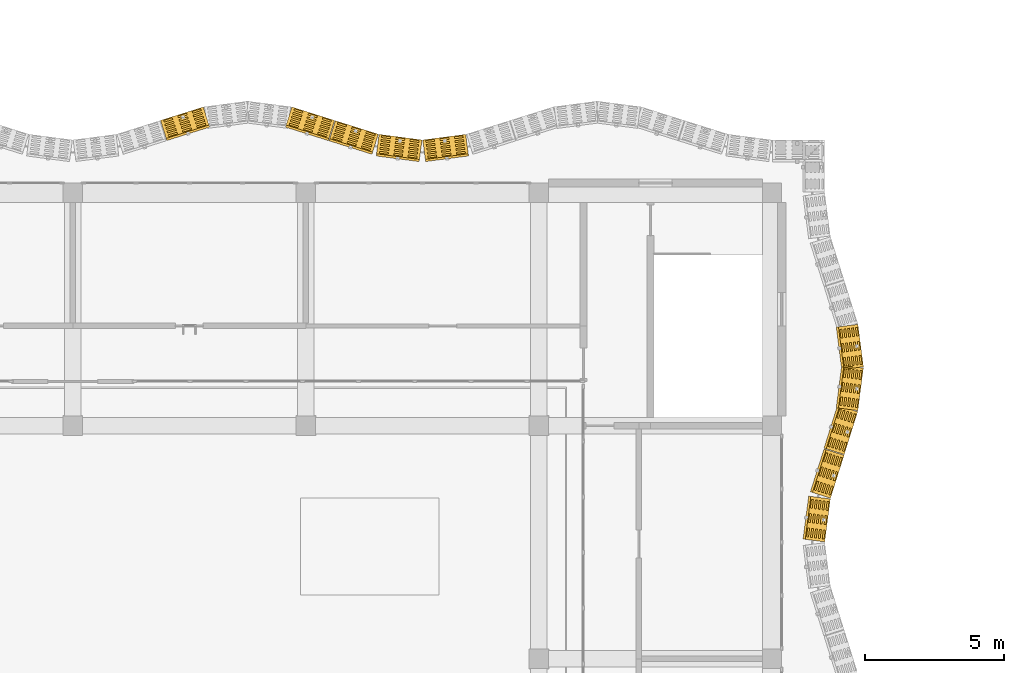
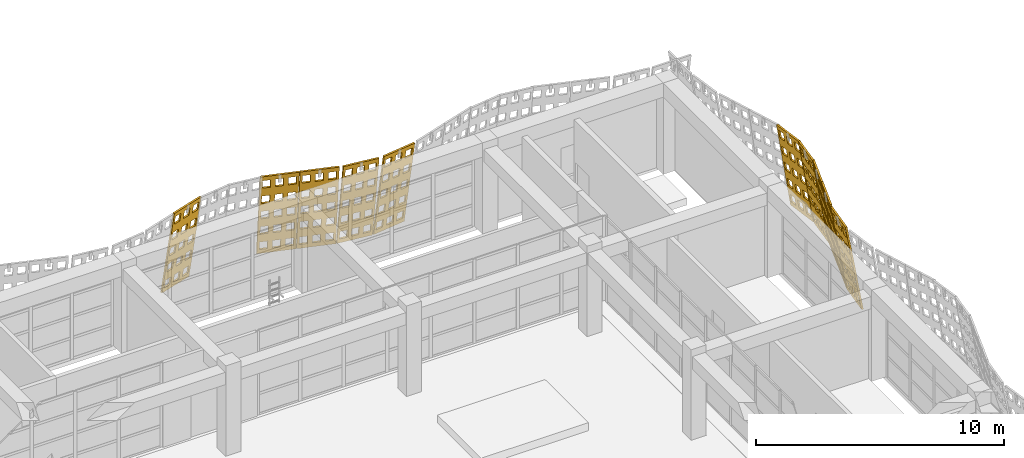
# One storey, part 83 of 85: 10 coverings.
"""IFC4 building model written with IfcOpenShell, lengths in metres."""

from ifc_helpers import new_model, si_unit, direction, frame, origin, place, context, subcontext, project, spatial, polyline, outline, extrude, material, layer, layer_set, type_object, element, save


model = new_model("IFC4")

# Units and contexts
model_context = context("Model", 3, precision=1e-05, world=origin(), true_north=direction((0.0, 1.0)))
body_context = subcontext(model_context, "Body", "Model", "MODEL_VIEW")
ifc_project = project(units=[si_unit("LENGTHUNIT", "METRE"), si_unit("AREAUNIT", "SQUARE_METRE"), si_unit("VOLUMEUNIT", "CUBIC_METRE"), si_unit("PLANEANGLEUNIT", "RADIAN"), si_unit("MASSUNIT", "GRAM", prefix="KILO")], contexts=[model_context])

# Site, building, storey
site_placement = place(None, origin())
site = spatial("IfcSite", under=ifc_project, at=site_placement, CompositionType="ELEMENT")
building_placement = place(site_placement, origin())
building = spatial("IfcBuilding", under=site, at=building_placement, Name="Rain Tree Exposition and Congress Centre", CompositionType="ELEMENT")
storey_placement = place(building_placement, frame((0.0, 0.0, 15.0)))
storey = spatial("IfcBuildingStorey", under=building, at=storey_placement, Name="L03", CompositionType="ELEMENT", Elevation=15.0)

# Coverings
ifc_material = material(Name="Perforated terracotta", Category="masonry")
ifc_layer = layer(ifc_material, 0.080078125)
ifc_layer_set = layer_set([ifc_layer], Name="Perforated terracotta")
covering_type = type_object("IfcCoveringType", Name="Terracotta screen 80", PredefinedType="CLADDING", material=ifc_layer_set)
covering_1_placement = place(storey_placement, frame((52.298095703125, 37.80029296875, 0.01318359375), z_axis=(-0.9779030419, 0.128349774249, -0.165021138321), x_axis=(-0.130133906157, -0.991496427865, 0.0)))
element("IfcCovering", 1, at=covering_1_placement, inside=storey, type_object=covering_type, Name="wing/screen/L03/059", PredefinedType="CLADDING", context=body_context, shape_type="SweptSolid", body=[
    extrude(outline(polyline([(-1.5732421875, 0.0), (-1.5732421875, 4.295166015625), (-0.014892578125, 4.295166015625), (-0.014892578125, 0.0), (-1.5732421875, 0.0)]), holes=[polyline([(-0.11376953125, 0.2216796875), (-0.11376953125, 0.63720703125), (-0.435791015625, 0.63720703125), (-0.435791015625, 0.2216796875), (-0.11376953125, 0.2216796875)]), polyline([(-0.11376953125, 1.080810546875), (-0.11376953125, 1.496337890625), (-0.435791015625, 1.496337890625), (-0.435791015625, 1.080810546875), (-0.11376953125, 1.080810546875)]), polyline([(-0.11376953125, 1.939697265625), (-0.11376953125, 2.35546875), (-0.435791015625, 2.35546875), (-0.435791015625, 1.939697265625), (-0.11376953125, 1.939697265625)]), polyline([(-0.11376953125, 2.798583984375), (-0.11376953125, 3.21435546875), (-0.435791015625, 3.21435546875), (-0.435791015625, 2.798583984375), (-0.11376953125, 2.798583984375)]), polyline([(-0.11376953125, 3.65771484375), (-0.11376953125, 4.073486328125), (-0.435791015625, 4.073486328125), (-0.435791015625, 3.65771484375), (-0.11376953125, 3.65771484375)]), polyline([(-0.633056640625, 0.2216796875), (-0.633056640625, 0.63720703125), (-0.955078125, 0.63720703125), (-0.955078125, 0.2216796875), (-0.633056640625, 0.2216796875)]), polyline([(-0.633056640625, 1.080810546875), (-0.633056640625, 1.496337890625), (-0.955078125, 1.496337890625), (-0.955078125, 1.080810546875), (-0.633056640625, 1.080810546875)]), polyline([(-0.633056640625, 1.939697265625), (-0.633056640625, 2.35546875), (-0.955078125, 2.35546875), (-0.955078125, 1.939697265625), (-0.633056640625, 1.939697265625)]), polyline([(-0.633056640625, 2.798583984375), (-0.633056640625, 3.21435546875), (-0.955078125, 3.21435546875), (-0.955078125, 2.798583984375), (-0.633056640625, 2.798583984375)]), polyline([(-0.633056640625, 3.65771484375), (-0.633056640625, 4.073486328125), (-0.955078125, 4.073486328125), (-0.955078125, 3.65771484375), (-0.633056640625, 3.65771484375)]), polyline([(-1.152587890625, 0.2216796875), (-1.152587890625, 0.63720703125), (-1.474609375, 0.63720703125), (-1.474609375, 0.2216796875), (-1.152587890625, 0.2216796875)]), polyline([(-1.152587890625, 1.080810546875), (-1.152587890625, 1.496337890625), (-1.474609375, 1.496337890625), (-1.474609375, 1.080810546875), (-1.152587890625, 1.080810546875)]), polyline([(-1.152587890625, 1.939697265625), (-1.152587890625, 2.35546875), (-1.474609375, 2.35546875), (-1.474609375, 1.939697265625), (-1.152587890625, 1.939697265625)]), polyline([(-1.152587890625, 2.798583984375), (-1.152587890625, 3.21435546875), (-1.474609375, 3.21435546875), (-1.474609375, 2.798583984375), (-1.152587890625, 2.798583984375)]), polyline([(-1.152587890625, 3.65771484375), (-1.152587890625, 4.073486328125), (-1.474609375, 4.073486328125), (-1.474609375, 3.65771484375), (-1.152587890625, 3.65771484375)])]), origin(), (0.0, 0.0, 1.0), 0.079833984375),
])
covering_2_placement = place(storey_placement, frame((52.50341796875, 39.37548828125, 0.0126953125), z_axis=(-0.941176896939, 0.298496232686, -0.158385756119), x_axis=(-0.302312226207, -0.953208958144, 0.0)))
element("IfcCovering", 2, at=covering_2_placement, inside=storey, type_object=covering_type, Name="wing/screen/L03/060", PredefinedType="CLADDING", context=body_context, shape_type="SweptSolid", body=[
    extrude(outline(polyline([(-1.635986328125, 0.0), (-1.635986328125, 4.291259765625), (-0.014892578125, 4.291259765625), (-0.014892578125, 0.0), (-1.635986328125, 0.0)]), holes=[polyline([(-0.11767578125, 0.221435546875), (-0.11767578125, 0.63671875), (-0.45263671875, 0.63671875), (-0.45263671875, 0.221435546875), (-0.11767578125, 0.221435546875)]), polyline([(-0.11767578125, 1.07958984375), (-0.11767578125, 1.4951171875), (-0.45263671875, 1.4951171875), (-0.45263671875, 1.07958984375), (-0.11767578125, 1.07958984375)]), polyline([(-0.11767578125, 1.93798828125), (-0.11767578125, 2.353271484375), (-0.45263671875, 2.353271484375), (-0.45263671875, 1.93798828125), (-0.11767578125, 1.93798828125)]), polyline([(-0.11767578125, 2.796142578125), (-0.11767578125, 3.21142578125), (-0.45263671875, 3.21142578125), (-0.45263671875, 2.796142578125), (-0.11767578125, 2.796142578125)]), polyline([(-0.11767578125, 3.654541015625), (-0.11767578125, 4.06982421875), (-0.45263671875, 4.06982421875), (-0.45263671875, 3.654541015625), (-0.11767578125, 3.654541015625)]), polyline([(-0.657958984375, 0.221435546875), (-0.657958984375, 0.63671875), (-0.992919921875, 0.63671875), (-0.992919921875, 0.221435546875), (-0.657958984375, 0.221435546875)]), polyline([(-0.657958984375, 1.07958984375), (-0.657958984375, 1.4951171875), (-0.992919921875, 1.4951171875), (-0.992919921875, 1.07958984375), (-0.657958984375, 1.07958984375)]), polyline([(-0.657958984375, 1.93798828125), (-0.657958984375, 2.353271484375), (-0.992919921875, 2.353271484375), (-0.992919921875, 1.93798828125), (-0.657958984375, 1.93798828125)]), polyline([(-0.657958984375, 2.796142578125), (-0.657958984375, 3.21142578125), (-0.992919921875, 3.21142578125), (-0.992919921875, 2.796142578125), (-0.657958984375, 2.796142578125)]), polyline([(-0.657958984375, 3.654541015625), (-0.657958984375, 4.06982421875), (-0.992919921875, 4.06982421875), (-0.992919921875, 3.654541015625), (-0.657958984375, 3.654541015625)]), polyline([(-1.1982421875, 0.221435546875), (-1.1982421875, 0.63671875), (-1.533203125, 0.63671875), (-1.533203125, 0.221435546875), (-1.1982421875, 0.221435546875)]), polyline([(-1.1982421875, 1.07958984375), (-1.1982421875, 1.4951171875), (-1.533203125, 1.4951171875), (-1.533203125, 1.07958984375), (-1.1982421875, 1.07958984375)]), polyline([(-1.1982421875, 1.93798828125), (-1.1982421875, 2.353271484375), (-1.533203125, 2.353271484375), (-1.533203125, 1.93798828125), (-1.1982421875, 1.93798828125)]), polyline([(-1.1982421875, 2.796142578125), (-1.1982421875, 3.21142578125), (-1.533203125, 3.21142578125), (-1.533203125, 2.796142578125), (-1.1982421875, 2.796142578125)]), polyline([(-1.1982421875, 3.654541015625), (-1.1982421875, 4.06982421875), (-1.533203125, 4.06982421875), (-1.533203125, 3.654541015625), (-1.1982421875, 3.654541015625)])]), origin(), (0.0, 0.0, 1.0), 0.080078125),
])
covering_3_placement = place(storey_placement, frame((52.998291015625, 40.95068359375, 0.0126953125), z_axis=(-0.941684688936, 0.296569528658, -0.158985726703), x_axis=(-0.300390227601, -0.953816392794, 0.0)))
element("IfcCovering", 3, at=covering_3_placement, inside=storey, type_object=covering_type, Name="wing/screen/L03/061", PredefinedType="CLADDING", context=body_context, shape_type="SweptSolid", body=[
    extrude(outline(polyline([(-1.62890625, 0.0), (-1.62890625, 4.291259765625), (-0.014892578125, 4.291259765625), (-0.014892578125, 0.0), (-1.62890625, 0.0)]), holes=[polyline([(-0.1171875, 0.221435546875), (-0.1171875, 0.63671875), (-0.45068359375, 0.63671875), (-0.45068359375, 0.221435546875), (-0.1171875, 0.221435546875)]), polyline([(-0.1171875, 1.07958984375), (-0.1171875, 1.4951171875), (-0.45068359375, 1.4951171875), (-0.45068359375, 1.07958984375), (-0.1171875, 1.07958984375)]), polyline([(-0.1171875, 1.93798828125), (-0.1171875, 2.353271484375), (-0.45068359375, 2.353271484375), (-0.45068359375, 1.93798828125), (-0.1171875, 1.93798828125)]), polyline([(-0.1171875, 2.796142578125), (-0.1171875, 3.21142578125), (-0.45068359375, 3.21142578125), (-0.45068359375, 2.796142578125), (-0.1171875, 2.796142578125)]), polyline([(-0.1171875, 3.654541015625), (-0.1171875, 4.06982421875), (-0.45068359375, 4.06982421875), (-0.45068359375, 3.654541015625), (-0.1171875, 3.654541015625)]), polyline([(-0.6552734375, 0.221435546875), (-0.6552734375, 0.63671875), (-0.98876953125, 0.63671875), (-0.98876953125, 0.221435546875), (-0.6552734375, 0.221435546875)]), polyline([(-0.6552734375, 1.07958984375), (-0.6552734375, 1.4951171875), (-0.98876953125, 1.4951171875), (-0.98876953125, 1.07958984375), (-0.6552734375, 1.07958984375)]), polyline([(-0.6552734375, 1.93798828125), (-0.6552734375, 2.353271484375), (-0.98876953125, 2.353271484375), (-0.98876953125, 1.93798828125), (-0.6552734375, 1.93798828125)]), polyline([(-0.6552734375, 2.796142578125), (-0.6552734375, 3.21142578125), (-0.98876953125, 3.21142578125), (-0.98876953125, 2.796142578125), (-0.6552734375, 2.796142578125)]), polyline([(-0.6552734375, 3.654541015625), (-0.6552734375, 4.06982421875), (-0.98876953125, 4.06982421875), (-0.98876953125, 3.654541015625), (-0.6552734375, 3.654541015625)]), polyline([(-1.193115234375, 0.221435546875), (-1.193115234375, 0.63671875), (-1.526611328125, 0.63671875), (-1.526611328125, 0.221435546875), (-1.193115234375, 0.221435546875)]), polyline([(-1.193115234375, 1.07958984375), (-1.193115234375, 1.4951171875), (-1.526611328125, 1.4951171875), (-1.526611328125, 1.07958984375), (-1.193115234375, 1.07958984375)]), polyline([(-1.193115234375, 1.93798828125), (-1.193115234375, 2.353271484375), (-1.526611328125, 2.353271484375), (-1.526611328125, 1.93798828125), (-1.193115234375, 1.93798828125)]), polyline([(-1.193115234375, 2.796142578125), (-1.193115234375, 3.21142578125), (-1.526611328125, 3.21142578125), (-1.526611328125, 2.796142578125), (-1.193115234375, 2.796142578125)]), polyline([(-1.193115234375, 3.654541015625), (-1.193115234375, 4.06982421875), (-1.526611328125, 4.06982421875), (-1.526611328125, 3.654541015625), (-1.193115234375, 3.654541015625)])]), origin(), (0.0, 0.0, 1.0), 0.079833984375),
])
covering_4_placement = place(storey_placement, frame((53.4931640625, 42.525390625, 0.01318359375), z_axis=(-0.978413018317, 0.124968640969, -0.164592844203), x_axis=(-0.126696580272, -0.991941518713, 0.0)))
element("IfcCovering", 4, at=covering_4_placement, inside=storey, type_object=covering_type, Name="wing/screen/L03/062", PredefinedType="CLADDING", context=body_context, shape_type="SweptSolid", body=[
    extrude(outline(polyline([(-1.56298828125, 0.0), (-1.56298828125, 4.295166015625), (-0.02197265625, 4.295166015625), (-0.02197265625, 0.0), (-1.56298828125, 0.0)]), holes=[polyline([(-0.11962890625, 0.2216796875), (-0.11962890625, 0.63720703125), (-0.43798828125, 0.63720703125), (-0.43798828125, 0.2216796875), (-0.11962890625, 0.2216796875)]), polyline([(-0.11962890625, 1.080810546875), (-0.11962890625, 1.496337890625), (-0.43798828125, 1.496337890625), (-0.43798828125, 1.080810546875), (-0.11962890625, 1.080810546875)]), polyline([(-0.11962890625, 1.939697265625), (-0.11962890625, 2.35546875), (-0.43798828125, 2.35546875), (-0.43798828125, 1.939697265625), (-0.11962890625, 1.939697265625)]), polyline([(-0.11962890625, 2.798583984375), (-0.11962890625, 3.21435546875), (-0.43798828125, 3.21435546875), (-0.43798828125, 2.798583984375), (-0.11962890625, 2.798583984375)]), polyline([(-0.11962890625, 3.65771484375), (-0.11962890625, 4.073486328125), (-0.43798828125, 4.073486328125), (-0.43798828125, 3.65771484375), (-0.11962890625, 3.65771484375)]), polyline([(-0.63330078125, 0.2216796875), (-0.63330078125, 0.63720703125), (-0.95166015625, 0.63720703125), (-0.95166015625, 0.2216796875), (-0.63330078125, 0.2216796875)]), polyline([(-0.63330078125, 1.080810546875), (-0.63330078125, 1.496337890625), (-0.95166015625, 1.496337890625), (-0.95166015625, 1.080810546875), (-0.63330078125, 1.080810546875)]), polyline([(-0.63330078125, 1.939697265625), (-0.63330078125, 2.35546875), (-0.95166015625, 2.35546875), (-0.95166015625, 1.939697265625), (-0.63330078125, 1.939697265625)]), polyline([(-0.63330078125, 2.798583984375), (-0.63330078125, 3.21435546875), (-0.95166015625, 3.21435546875), (-0.95166015625, 2.798583984375), (-0.63330078125, 2.798583984375)]), polyline([(-0.63330078125, 3.65771484375), (-0.63330078125, 4.073486328125), (-0.95166015625, 4.073486328125), (-0.95166015625, 3.65771484375), (-0.63330078125, 3.65771484375)]), polyline([(-1.146728515625, 0.2216796875), (-1.146728515625, 0.63720703125), (-1.46533203125, 0.63720703125), (-1.46533203125, 0.2216796875), (-1.146728515625, 0.2216796875)]), polyline([(-1.146728515625, 1.080810546875), (-1.146728515625, 1.496337890625), (-1.46533203125, 1.496337890625), (-1.46533203125, 1.080810546875), (-1.146728515625, 1.080810546875)]), polyline([(-1.146728515625, 1.939697265625), (-1.146728515625, 2.35546875), (-1.46533203125, 2.35546875), (-1.46533203125, 1.939697265625), (-1.146728515625, 1.939697265625)]), polyline([(-1.146728515625, 2.798583984375), (-1.146728515625, 3.21435546875), (-1.46533203125, 3.21435546875), (-1.46533203125, 2.798583984375), (-1.146728515625, 2.798583984375)]), polyline([(-1.146728515625, 3.65771484375), (-1.146728515625, 4.073486328125), (-1.46533203125, 4.073486328125), (-1.46533203125, 3.65771484375), (-1.146728515625, 3.65771484375)])]), origin(), (0.0, 0.0, 1.0), 0.080078125),
])
covering_5_placement = place(storey_placement, frame((53.697998046875, 44.099609375, 0.01318359375), z_axis=(-0.978282259159, -0.125342414455, -0.165085131233), x_axis=(0.127086122318, -0.991891686382, 0.0)))
element("IfcCovering", 5, at=covering_5_placement, inside=storey, type_object=covering_type, Name="wing/screen/L03/063", PredefinedType="CLADDING", context=body_context, shape_type="SweptSolid", body=[
    extrude(outline(polyline([(-1.56640625, 0.0), (-1.56640625, 4.295166015625), (-0.025390625, 4.295166015625), (-0.025390625, 0.0), (-1.56640625, 0.0)]), holes=[polyline([(-0.123046875, 0.2216796875), (-0.123046875, 0.63720703125), (-0.44140625, 0.63720703125), (-0.44140625, 0.2216796875), (-0.123046875, 0.2216796875)]), polyline([(-0.123046875, 1.080810546875), (-0.123046875, 1.496337890625), (-0.44140625, 1.496337890625), (-0.44140625, 1.080810546875), (-0.123046875, 1.080810546875)]), polyline([(-0.123046875, 1.939697265625), (-0.123046875, 2.35546875), (-0.44140625, 2.35546875), (-0.44140625, 1.939697265625), (-0.123046875, 1.939697265625)]), polyline([(-0.123046875, 2.798583984375), (-0.123046875, 3.21435546875), (-0.44140625, 3.21435546875), (-0.44140625, 2.798583984375), (-0.123046875, 2.798583984375)]), polyline([(-0.123046875, 3.65771484375), (-0.123046875, 4.073486328125), (-0.44140625, 4.073486328125), (-0.44140625, 3.65771484375), (-0.123046875, 3.65771484375)]), polyline([(-0.63671875, 0.2216796875), (-0.63671875, 0.63720703125), (-0.955078125, 0.63720703125), (-0.955078125, 0.2216796875), (-0.63671875, 0.2216796875)]), polyline([(-0.63671875, 1.080810546875), (-0.63671875, 1.496337890625), (-0.955078125, 1.496337890625), (-0.955078125, 1.080810546875), (-0.63671875, 1.080810546875)]), polyline([(-0.63671875, 1.939697265625), (-0.63671875, 2.35546875), (-0.955078125, 2.35546875), (-0.955078125, 1.939697265625), (-0.63671875, 1.939697265625)]), polyline([(-0.63671875, 2.798583984375), (-0.63671875, 3.21435546875), (-0.955078125, 3.21435546875), (-0.955078125, 2.798583984375), (-0.63671875, 2.798583984375)]), polyline([(-0.63671875, 3.65771484375), (-0.63671875, 4.073486328125), (-0.955078125, 4.073486328125), (-0.955078125, 3.65771484375), (-0.63671875, 3.65771484375)]), polyline([(-1.150146484375, 0.2216796875), (-1.150146484375, 0.63720703125), (-1.46875, 0.63720703125), (-1.46875, 0.2216796875), (-1.150146484375, 0.2216796875)]), polyline([(-1.150146484375, 1.080810546875), (-1.150146484375, 1.496337890625), (-1.46875, 1.496337890625), (-1.46875, 1.080810546875), (-1.150146484375, 1.080810546875)]), polyline([(-1.150146484375, 1.939697265625), (-1.150146484375, 2.35546875), (-1.46875, 2.35546875), (-1.46875, 1.939697265625), (-1.150146484375, 1.939697265625)]), polyline([(-1.150146484375, 2.798583984375), (-1.150146484375, 3.21435546875), (-1.46875, 3.21435546875), (-1.46875, 2.798583984375), (-1.150146484375, 2.798583984375)]), polyline([(-1.150146484375, 3.65771484375), (-1.150146484375, 4.073486328125), (-1.46875, 4.073486328125), (-1.46875, 3.65771484375), (-1.150146484375, 3.65771484375)])]), origin(), (0.0, 0.0, 1.0), 0.079833984375),
])
covering_6_placement = place(storey_placement, frame((39.375244140625, 52.503173828125, 0.01318359375), z_axis=(0.127967328105, -0.978036007662, -0.16452942185), x_axis=(0.991548658387, 0.129735338481, 0.0)))
element("IfcCovering", 6, at=covering_6_placement, inside=storey, type_object=covering_type, Name="wing/screen/L03/076", PredefinedType="CLADDING", context=body_context, shape_type="SweptSolid", body=[
    extrude(outline(polyline([(-1.5732421875, 0.0), (-1.5732421875, 4.295166015625), (-0.014892578125, 4.295166015625), (-0.014892578125, 0.0), (-1.5732421875, 0.0)]), holes=[polyline([(-0.11376953125, 0.2216796875), (-0.11376953125, 0.63720703125), (-0.435791015625, 0.63720703125), (-0.435791015625, 0.2216796875), (-0.11376953125, 0.2216796875)]), polyline([(-0.11376953125, 1.080810546875), (-0.11376953125, 1.496337890625), (-0.435791015625, 1.496337890625), (-0.435791015625, 1.080810546875), (-0.11376953125, 1.080810546875)]), polyline([(-0.11376953125, 1.939697265625), (-0.11376953125, 2.35546875), (-0.435791015625, 2.35546875), (-0.435791015625, 1.939697265625), (-0.11376953125, 1.939697265625)]), polyline([(-0.11376953125, 2.798583984375), (-0.11376953125, 3.21435546875), (-0.435791015625, 3.21435546875), (-0.435791015625, 2.798583984375), (-0.11376953125, 2.798583984375)]), polyline([(-0.11376953125, 3.65771484375), (-0.11376953125, 4.073486328125), (-0.435791015625, 4.073486328125), (-0.435791015625, 3.65771484375), (-0.11376953125, 3.65771484375)]), polyline([(-0.633056640625, 0.2216796875), (-0.633056640625, 0.63720703125), (-0.955078125, 0.63720703125), (-0.955078125, 0.2216796875), (-0.633056640625, 0.2216796875)]), polyline([(-0.633056640625, 1.080810546875), (-0.633056640625, 1.496337890625), (-0.955078125, 1.496337890625), (-0.955078125, 1.080810546875), (-0.633056640625, 1.080810546875)]), polyline([(-0.633056640625, 1.939697265625), (-0.633056640625, 2.35546875), (-0.955078125, 2.35546875), (-0.955078125, 1.939697265625), (-0.633056640625, 1.939697265625)]), polyline([(-0.633056640625, 2.798583984375), (-0.633056640625, 3.21435546875), (-0.955078125, 3.21435546875), (-0.955078125, 2.798583984375), (-0.633056640625, 2.798583984375)]), polyline([(-0.633056640625, 3.65771484375), (-0.633056640625, 4.073486328125), (-0.955078125, 4.073486328125), (-0.955078125, 3.65771484375), (-0.633056640625, 3.65771484375)]), polyline([(-1.152587890625, 0.2216796875), (-1.152587890625, 0.63720703125), (-1.474609375, 0.63720703125), (-1.474609375, 0.2216796875), (-1.152587890625, 0.2216796875)]), polyline([(-1.152587890625, 1.080810546875), (-1.152587890625, 1.496337890625), (-1.474609375, 1.496337890625), (-1.474609375, 1.080810546875), (-1.152587890625, 1.080810546875)]), polyline([(-1.152587890625, 1.939697265625), (-1.152587890625, 2.35546875), (-1.474609375, 2.35546875), (-1.474609375, 1.939697265625), (-1.152587890625, 1.939697265625)]), polyline([(-1.152587890625, 2.798583984375), (-1.152587890625, 3.21435546875), (-1.474609375, 3.21435546875), (-1.474609375, 2.798583984375), (-1.152587890625, 2.798583984375)]), polyline([(-1.152587890625, 3.65771484375), (-1.152587890625, 4.073486328125), (-1.474609375, 4.073486328125), (-1.474609375, 3.65771484375), (-1.152587890625, 3.65771484375)])]), origin(), (0.0, 0.0, 1.0), 0.080078125),
])
covering_7_placement = place(storey_placement, frame((37.7998046875, 52.298095703125, 0.01318359375), z_axis=(-0.128349774249, -0.9779030419, -0.165021138321), x_axis=(0.991496427865, -0.130133906157, 0.0)))
element("IfcCovering", 7, at=covering_7_placement, inside=storey, type_object=covering_type, Name="wing/screen/L03/077", PredefinedType="CLADDING", context=body_context, shape_type="SweptSolid", body=[
    extrude(outline(polyline([(-1.5732421875, 0.0), (-1.5732421875, 4.295166015625), (-0.014892578125, 4.295166015625), (-0.014892578125, 0.0), (-1.5732421875, 0.0)]), holes=[polyline([(-0.11376953125, 0.2216796875), (-0.11376953125, 0.63720703125), (-0.435791015625, 0.63720703125), (-0.435791015625, 0.2216796875), (-0.11376953125, 0.2216796875)]), polyline([(-0.11376953125, 1.080810546875), (-0.11376953125, 1.496337890625), (-0.435791015625, 1.496337890625), (-0.435791015625, 1.080810546875), (-0.11376953125, 1.080810546875)]), polyline([(-0.11376953125, 1.939697265625), (-0.11376953125, 2.35546875), (-0.435791015625, 2.35546875), (-0.435791015625, 1.939697265625), (-0.11376953125, 1.939697265625)]), polyline([(-0.11376953125, 2.798583984375), (-0.11376953125, 3.21435546875), (-0.435791015625, 3.21435546875), (-0.435791015625, 2.798583984375), (-0.11376953125, 2.798583984375)]), polyline([(-0.11376953125, 3.65771484375), (-0.11376953125, 4.073486328125), (-0.435791015625, 4.073486328125), (-0.435791015625, 3.65771484375), (-0.11376953125, 3.65771484375)]), polyline([(-0.633056640625, 0.2216796875), (-0.633056640625, 0.63720703125), (-0.955078125, 0.63720703125), (-0.955078125, 0.2216796875), (-0.633056640625, 0.2216796875)]), polyline([(-0.633056640625, 1.080810546875), (-0.633056640625, 1.496337890625), (-0.955078125, 1.496337890625), (-0.955078125, 1.080810546875), (-0.633056640625, 1.080810546875)]), polyline([(-0.633056640625, 1.939697265625), (-0.633056640625, 2.35546875), (-0.955078125, 2.35546875), (-0.955078125, 1.939697265625), (-0.633056640625, 1.939697265625)]), polyline([(-0.633056640625, 2.798583984375), (-0.633056640625, 3.21435546875), (-0.955078125, 3.21435546875), (-0.955078125, 2.798583984375), (-0.633056640625, 2.798583984375)]), polyline([(-0.633056640625, 3.65771484375), (-0.633056640625, 4.073486328125), (-0.955078125, 4.073486328125), (-0.955078125, 3.65771484375), (-0.633056640625, 3.65771484375)]), polyline([(-1.152587890625, 0.2216796875), (-1.152587890625, 0.63720703125), (-1.474609375, 0.63720703125), (-1.474609375, 0.2216796875), (-1.152587890625, 0.2216796875)]), polyline([(-1.152587890625, 1.080810546875), (-1.152587890625, 1.496337890625), (-1.474609375, 1.496337890625), (-1.474609375, 1.080810546875), (-1.152587890625, 1.080810546875)]), polyline([(-1.152587890625, 1.939697265625), (-1.152587890625, 2.35546875), (-1.474609375, 2.35546875), (-1.474609375, 1.939697265625), (-1.152587890625, 1.939697265625)]), polyline([(-1.152587890625, 2.798583984375), (-1.152587890625, 3.21435546875), (-1.474609375, 3.21435546875), (-1.474609375, 2.798583984375), (-1.152587890625, 2.798583984375)]), polyline([(-1.152587890625, 3.65771484375), (-1.152587890625, 4.073486328125), (-1.474609375, 4.073486328125), (-1.474609375, 3.65771484375), (-1.152587890625, 3.65771484375)])]), origin(), (0.0, 0.0, 1.0), 0.079833984375),
])
covering_8_placement = place(storey_placement, frame((36.224365234375, 52.50341796875, 0.0126953125), z_axis=(-0.295717964052, -0.942029390639, -0.158529217842), x_axis=(0.954094597562, -0.29950542383, 0.0)))
element("IfcCovering", 8, at=covering_8_placement, inside=storey, type_object=covering_type, Name="wing/screen/L03/078", PredefinedType="CLADDING", context=body_context, shape_type="SweptSolid", body=[
    extrude(outline(polyline([(-1.635986328125, 0.0), (-1.635986328125, 4.291259765625), (-0.014892578125, 4.291259765625), (-0.014892578125, 0.0), (-1.635986328125, 0.0)]), holes=[polyline([(-0.11767578125, 0.221435546875), (-0.11767578125, 0.63671875), (-0.45263671875, 0.63671875), (-0.45263671875, 0.221435546875), (-0.11767578125, 0.221435546875)]), polyline([(-0.11767578125, 1.07958984375), (-0.11767578125, 1.4951171875), (-0.45263671875, 1.4951171875), (-0.45263671875, 1.07958984375), (-0.11767578125, 1.07958984375)]), polyline([(-0.11767578125, 1.93798828125), (-0.11767578125, 2.353271484375), (-0.45263671875, 2.353271484375), (-0.45263671875, 1.93798828125), (-0.11767578125, 1.93798828125)]), polyline([(-0.11767578125, 2.796142578125), (-0.11767578125, 3.21142578125), (-0.45263671875, 3.21142578125), (-0.45263671875, 2.796142578125), (-0.11767578125, 2.796142578125)]), polyline([(-0.11767578125, 3.654541015625), (-0.11767578125, 4.06982421875), (-0.45263671875, 4.06982421875), (-0.45263671875, 3.654541015625), (-0.11767578125, 3.654541015625)]), polyline([(-0.657958984375, 0.221435546875), (-0.657958984375, 0.63671875), (-0.992919921875, 0.63671875), (-0.992919921875, 0.221435546875), (-0.657958984375, 0.221435546875)]), polyline([(-0.657958984375, 1.07958984375), (-0.657958984375, 1.4951171875), (-0.992919921875, 1.4951171875), (-0.992919921875, 1.07958984375), (-0.657958984375, 1.07958984375)]), polyline([(-0.657958984375, 1.93798828125), (-0.657958984375, 2.353271484375), (-0.992919921875, 2.353271484375), (-0.992919921875, 1.93798828125), (-0.657958984375, 1.93798828125)]), polyline([(-0.657958984375, 2.796142578125), (-0.657958984375, 3.21142578125), (-0.992919921875, 3.21142578125), (-0.992919921875, 2.796142578125), (-0.657958984375, 2.796142578125)]), polyline([(-0.657958984375, 3.654541015625), (-0.657958984375, 4.06982421875), (-0.992919921875, 4.06982421875), (-0.992919921875, 3.654541015625), (-0.657958984375, 3.654541015625)]), polyline([(-1.1982421875, 0.221435546875), (-1.1982421875, 0.63671875), (-1.533203125, 0.63671875), (-1.533203125, 0.221435546875), (-1.1982421875, 0.221435546875)]), polyline([(-1.1982421875, 1.07958984375), (-1.1982421875, 1.4951171875), (-1.533203125, 1.4951171875), (-1.533203125, 1.07958984375), (-1.1982421875, 1.07958984375)]), polyline([(-1.1982421875, 1.93798828125), (-1.1982421875, 2.353271484375), (-1.533203125, 2.353271484375), (-1.533203125, 1.93798828125), (-1.1982421875, 1.93798828125)]), polyline([(-1.1982421875, 2.796142578125), (-1.1982421875, 3.21142578125), (-1.533203125, 3.21142578125), (-1.533203125, 2.796142578125), (-1.1982421875, 2.796142578125)]), polyline([(-1.1982421875, 3.654541015625), (-1.1982421875, 4.06982421875), (-1.533203125, 4.06982421875), (-1.533203125, 3.654541015625), (-1.1982421875, 3.654541015625)])]), origin(), (0.0, 0.0, 1.0), 0.080078125),
])
covering_9_placement = place(storey_placement, frame((34.6494140625, 52.998291015625, 0.0126953125), z_axis=(-0.296569528658, -0.941684688936, -0.158985726703), x_axis=(0.953816392794, -0.300390227601, 0.0)))
element("IfcCovering", 9, at=covering_9_placement, inside=storey, type_object=covering_type, Name="wing/screen/L03/079", PredefinedType="CLADDING", context=body_context, shape_type="SweptSolid", body=[
    extrude(outline(polyline([(-1.62890625, 0.0), (-1.62890625, 4.291259765625), (-0.014892578125, 4.291259765625), (-0.014892578125, 0.0), (-1.62890625, 0.0)]), holes=[polyline([(-0.1171875, 0.221435546875), (-0.1171875, 0.63671875), (-0.45068359375, 0.63671875), (-0.45068359375, 0.221435546875), (-0.1171875, 0.221435546875)]), polyline([(-0.1171875, 1.07958984375), (-0.1171875, 1.4951171875), (-0.45068359375, 1.4951171875), (-0.45068359375, 1.07958984375), (-0.1171875, 1.07958984375)]), polyline([(-0.1171875, 1.93798828125), (-0.1171875, 2.353271484375), (-0.45068359375, 2.353271484375), (-0.45068359375, 1.93798828125), (-0.1171875, 1.93798828125)]), polyline([(-0.1171875, 2.796142578125), (-0.1171875, 3.21142578125), (-0.45068359375, 3.21142578125), (-0.45068359375, 2.796142578125), (-0.1171875, 2.796142578125)]), polyline([(-0.1171875, 3.654541015625), (-0.1171875, 4.06982421875), (-0.45068359375, 4.06982421875), (-0.45068359375, 3.654541015625), (-0.1171875, 3.654541015625)]), polyline([(-0.6552734375, 0.221435546875), (-0.6552734375, 0.63671875), (-0.98876953125, 0.63671875), (-0.98876953125, 0.221435546875), (-0.6552734375, 0.221435546875)]), polyline([(-0.6552734375, 1.07958984375), (-0.6552734375, 1.4951171875), (-0.98876953125, 1.4951171875), (-0.98876953125, 1.07958984375), (-0.6552734375, 1.07958984375)]), polyline([(-0.6552734375, 1.93798828125), (-0.6552734375, 2.353271484375), (-0.98876953125, 2.353271484375), (-0.98876953125, 1.93798828125), (-0.6552734375, 1.93798828125)]), polyline([(-0.6552734375, 2.796142578125), (-0.6552734375, 3.21142578125), (-0.98876953125, 3.21142578125), (-0.98876953125, 2.796142578125), (-0.6552734375, 2.796142578125)]), polyline([(-0.6552734375, 3.654541015625), (-0.6552734375, 4.06982421875), (-0.98876953125, 4.06982421875), (-0.98876953125, 3.654541015625), (-0.6552734375, 3.654541015625)]), polyline([(-1.193115234375, 0.221435546875), (-1.193115234375, 0.63671875), (-1.526611328125, 0.63671875), (-1.526611328125, 0.221435546875), (-1.193115234375, 0.221435546875)]), polyline([(-1.193115234375, 1.07958984375), (-1.193115234375, 1.4951171875), (-1.526611328125, 1.4951171875), (-1.526611328125, 1.07958984375), (-1.193115234375, 1.07958984375)]), polyline([(-1.193115234375, 1.93798828125), (-1.193115234375, 2.353271484375), (-1.526611328125, 2.353271484375), (-1.526611328125, 1.93798828125), (-1.193115234375, 1.93798828125)]), polyline([(-1.193115234375, 2.796142578125), (-1.193115234375, 3.21142578125), (-1.526611328125, 3.21142578125), (-1.526611328125, 2.796142578125), (-1.193115234375, 2.796142578125)]), polyline([(-1.193115234375, 3.654541015625), (-1.193115234375, 4.06982421875), (-1.526611328125, 4.06982421875), (-1.526611328125, 3.654541015625), (-1.193115234375, 3.654541015625)])]), origin(), (0.0, 0.0, 1.0), 0.079833984375),
])
covering_10_placement = place(storey_placement, frame((29.925537109375, 53.493408203125, 0.0126953125), z_axis=(0.295717964052, -0.942029390639, -0.158529217842), x_axis=(0.954094597562, 0.29950542383, 0.0)))
element("IfcCovering", 10, at=covering_10_placement, inside=storey, type_object=covering_type, Name="wing/screen/L03/082", PredefinedType="CLADDING", context=body_context, shape_type="SweptSolid", body=[
    extrude(outline(polyline([(-1.635986328125, 0.0), (-1.635986328125, 4.291259765625), (-0.02197265625, 4.291259765625), (-0.02197265625, 0.0), (-1.635986328125, 0.0)]), holes=[polyline([(-0.124267578125, 0.221435546875), (-0.124267578125, 0.63671875), (-0.457763671875, 0.63671875), (-0.457763671875, 0.221435546875), (-0.124267578125, 0.221435546875)]), polyline([(-0.124267578125, 1.07958984375), (-0.124267578125, 1.4951171875), (-0.457763671875, 1.4951171875), (-0.457763671875, 1.07958984375), (-0.124267578125, 1.07958984375)]), polyline([(-0.124267578125, 1.93798828125), (-0.124267578125, 2.353271484375), (-0.457763671875, 2.353271484375), (-0.457763671875, 1.93798828125), (-0.124267578125, 1.93798828125)]), polyline([(-0.124267578125, 2.796142578125), (-0.124267578125, 3.21142578125), (-0.457763671875, 3.21142578125), (-0.457763671875, 2.796142578125), (-0.124267578125, 2.796142578125)]), polyline([(-0.124267578125, 3.654541015625), (-0.124267578125, 4.06982421875), (-0.457763671875, 4.06982421875), (-0.457763671875, 3.654541015625), (-0.124267578125, 3.654541015625)]), polyline([(-0.662109375, 0.221435546875), (-0.662109375, 0.63671875), (-0.995849609375, 0.63671875), (-0.995849609375, 0.221435546875), (-0.662109375, 0.221435546875)]), polyline([(-0.662109375, 1.07958984375), (-0.662109375, 1.4951171875), (-0.995849609375, 1.4951171875), (-0.995849609375, 1.07958984375), (-0.662109375, 1.07958984375)]), polyline([(-0.662109375, 1.93798828125), (-0.662109375, 2.353271484375), (-0.995849609375, 2.353271484375), (-0.995849609375, 1.93798828125), (-0.662109375, 1.93798828125)]), polyline([(-0.662109375, 2.796142578125), (-0.662109375, 3.21142578125), (-0.995849609375, 3.21142578125), (-0.995849609375, 2.796142578125), (-0.662109375, 2.796142578125)]), polyline([(-0.662109375, 3.654541015625), (-0.662109375, 4.06982421875), (-0.995849609375, 4.06982421875), (-0.995849609375, 3.654541015625), (-0.662109375, 3.654541015625)]), polyline([(-1.2001953125, 0.221435546875), (-1.2001953125, 0.63671875), (-1.53369140625, 0.63671875), (-1.53369140625, 0.221435546875), (-1.2001953125, 0.221435546875)]), polyline([(-1.2001953125, 1.07958984375), (-1.2001953125, 1.4951171875), (-1.53369140625, 1.4951171875), (-1.53369140625, 1.07958984375), (-1.2001953125, 1.07958984375)]), polyline([(-1.2001953125, 1.93798828125), (-1.2001953125, 2.353271484375), (-1.53369140625, 2.353271484375), (-1.53369140625, 1.93798828125), (-1.2001953125, 1.93798828125)]), polyline([(-1.2001953125, 2.796142578125), (-1.2001953125, 3.21142578125), (-1.53369140625, 3.21142578125), (-1.53369140625, 2.796142578125), (-1.2001953125, 2.796142578125)]), polyline([(-1.2001953125, 3.654541015625), (-1.2001953125, 4.06982421875), (-1.53369140625, 4.06982421875), (-1.53369140625, 3.654541015625), (-1.2001953125, 3.654541015625)])]), origin(), (0.0, 0.0, 1.0), 0.080078125),
])

save(model, "model.ifc")
